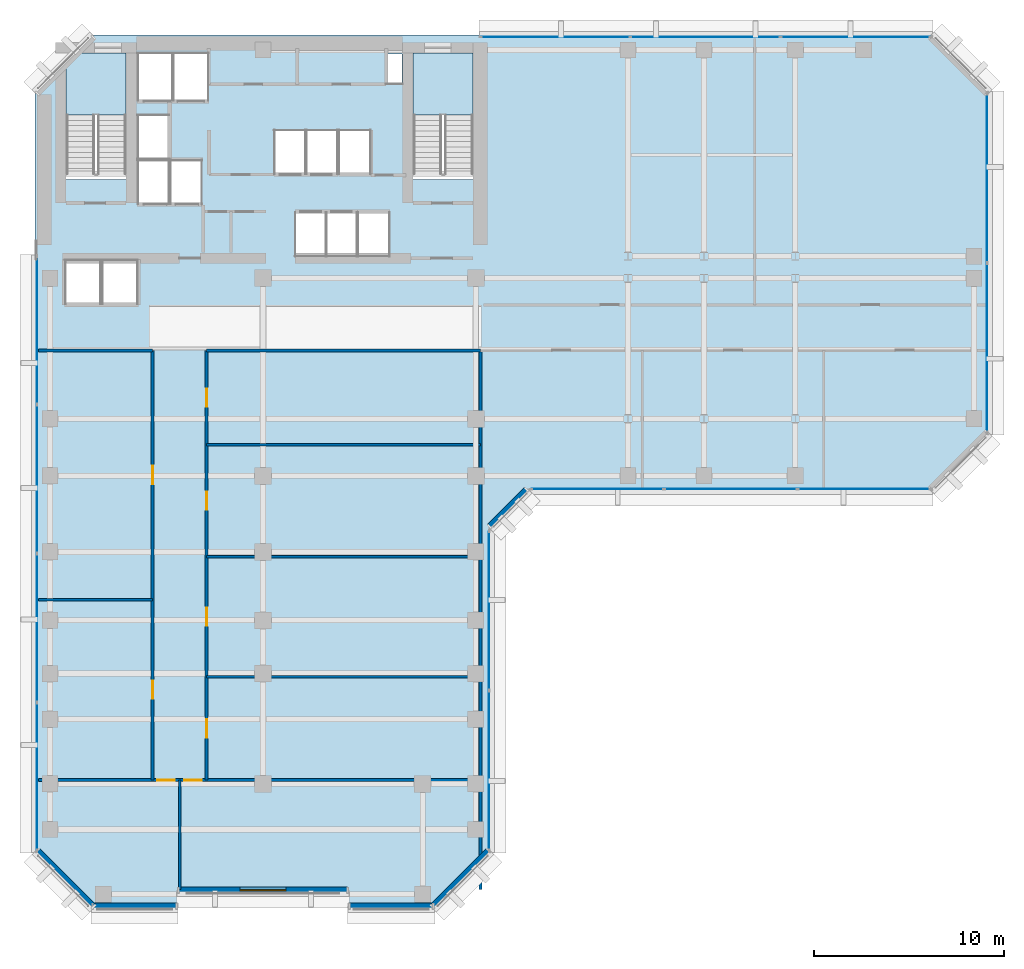
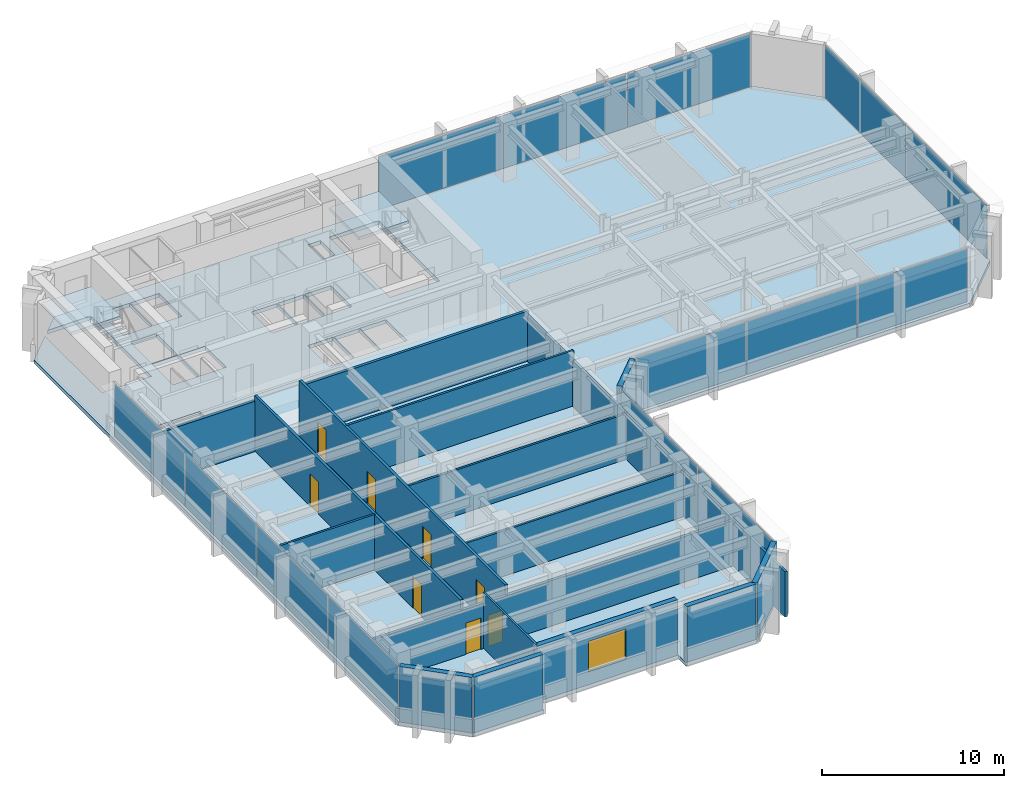
# One storey, part 6 of 11: 17 walls, 14 plates, 8 doors, 3 slabs, 1 window, 9 openings, 7 elements without a shape of their own.
"""IFC4 building model written with IfcOpenShell, lengths in metres."""

from ifc_helpers import new_model, si_unit, direction, frame, frame_2d, origin, origin_2d, place, context, subcontext, project, spatial, polyline, rectangle, outline, extrude, material, layer, layer_set, type_object, element, fill, aggregate, save


model = new_model("IFC4")

# Units and contexts
model_context = context("Model", 3, precision=1e-05, world=origin(), true_north=direction((0.0, 1.0)))
body_context = subcontext(model_context, "Body", "Model", "MODEL_VIEW")
ifc_project = project(units=[si_unit("LENGTHUNIT", "METRE"), si_unit("AREAUNIT", "SQUARE_METRE"), si_unit("VOLUMEUNIT", "CUBIC_METRE"), si_unit("PLANEANGLEUNIT", "RADIAN"), si_unit("MASSUNIT", "GRAM", prefix="KILO")], contexts=[model_context])

# Site, building, storey
site_placement = place(None, origin())
site = spatial("IfcSite", under=ifc_project, at=site_placement, CompositionType="ELEMENT")
building_placement = place(site_placement, origin())
building = spatial("IfcBuilding", under=site, at=building_placement, Name="Kefirva Bronze Tower", CompositionType="ELEMENT")
storey_placement = place(building_placement, frame((0.0, 0.0, 146.85009765625)))
storey = spatial("IfcBuildingStorey", under=building, at=storey_placement, Name="L35", CompositionType="ELEMENT", Elevation=146.85009765625)

# Stair, slab
ifc_material_1 = material(Name="Concrete C40/50", Category="concrete")
stair_type = type_object("IfcStairType", Name="RC Dogleg Protected Stair 24R", PredefinedType="HALF_TURN_STAIR", material=ifc_material_1)
stair_1_placement = place(storey_placement, origin())
stair_1 = element("IfcStair", 1, at=stair_1_placement, inside=storey, type_object=stair_type, Name="L35 Protected Exit Stair 1", PredefinedType="HALF_TURN_STAIR")
ifc_layer_1 = layer(ifc_material_1, 0.199951171875, Name="Concrete C40/50")
ifc_layer_set_1 = layer_set([ifc_layer_1], Name="Concrete C40/50")
slab_type_1 = type_object("IfcSlabType", Name="RC Stair Landing Slab 200mm", PredefinedType="LANDING", material=ifc_layer_set_1)
slab_1_placement = place(storey_placement, frame((0.0, 0.0, 1.77978515625)))
slab_1 = element("IfcSlab", 2, at=slab_1_placement, type_object=slab_type_1, Name="ST-1 landing 1", PredefinedType="LANDING", context=body_context, shape_type="SweptSolid", body=[
    extrude(outline(polyline([(4.800048828125, 41.780029296875), (4.800048828125, 45.050048828125), (1.64990234375, 45.050048828125), (1.64990234375, 41.780029296875), (4.800048828125, 41.780029296875)])), origin(), (0.0, 0.0, 1.0), 0.2001953125),
])
aggregate(stair_1, [slab_1])

stair_2_placement = place(storey_placement, origin())
stair_2 = element("IfcStair", 3, at=stair_2_placement, inside=storey, type_object=stair_type, Name="L35 Protected Exit Stair 2", PredefinedType="HALF_TURN_STAIR")
slab_2_placement = place(storey_placement, frame((0.0, 0.0, 1.77978515625)))
slab_2 = element("IfcSlab", 4, at=slab_2_placement, type_object=slab_type_1, Name="ST-2 landing 1", PredefinedType="LANDING", context=body_context, shape_type="SweptSolid", body=[
    extrude(outline(polyline([(23.050048828125, 41.780029296875), (23.050048828125, 45.050048828125), (19.89990234375, 45.050048828125), (19.89990234375, 41.780029296875), (23.050048828125, 41.780029296875)])), origin(), (0.0, 0.0, 1.0), 0.2001953125),
])
aggregate(stair_2, [slab_2])

# Slab
ifc_layer_2 = layer(ifc_material_1, 0.25, Name="Concrete C40/50")
ifc_layer_set_2 = layer_set([ifc_layer_2], Name="Concrete C40/50")
slab_type_2 = type_object("IfcSlabType", Name="RC Tower Floor Slab 250mm", PredefinedType="FLOOR", material=ifc_layer_set_2)
slab_3_placement = place(storey_placement, frame((0.0, 0.0, -0.25)))
element("IfcSlab", 5, at=slab_3_placement, inside=storey, type_object=slab_type_2, Name="L35 Structural Floor Slab", PredefinedType="FLOOR", context=body_context, shape_type="SweptSolid", body=[
    extrude(outline(polyline([(0.0, 3.0), (0.0, 43.0), (1.64990234375, 44.64990234375), (1.64990234375, 38.39990234375), (4.800048828125, 38.39990234375), (4.800048828125, 45.050048828125), (2.050048828125, 45.050048828125), (3.0, 46.0), (47.199951171875, 46.0), (50.199951171875, 43.0), (50.199951171875, 25.0), (47.199951171875, 22.0), (26.0, 22.0), (24.0, 20.0), (24.0, 3.0), (21.0, 0.0), (16.5, 0.0), (16.5, 0.85009765625), (7.5, 0.85009765625), (7.5, 0.0), (3.0, 0.0), (0.0, 3.0)]), holes=[polyline([(23.050048828125, 38.39990234375), (23.050048828125, 45.050048828125), (19.89990234375, 45.050048828125), (19.89990234375, 38.39990234375), (23.050048828125, 38.39990234375)]), polyline([(19.320068359375, 43.419921875), (19.320068359375, 45.0), (18.52001953125, 45.0), (18.52001953125, 43.419921875), (19.320068359375, 43.419921875)]), polyline([(18.64990234375, 34.35009765625), (18.64990234375, 36.64990234375), (17.0, 36.64990234375), (17.0, 34.35009765625), (18.64990234375, 34.35009765625)]), polyline([(17.64990234375, 38.679931640625), (17.64990234375, 40.97998046875), (16.0, 40.97998046875), (16.0, 38.679931640625), (17.64990234375, 38.679931640625)]), polyline([(16.949951171875, 34.35009765625), (16.949951171875, 36.64990234375), (15.35009765625, 36.64990234375), (15.35009765625, 34.35009765625), (16.949951171875, 34.35009765625)]), polyline([(15.929931640625, 38.679931640625), (15.929931640625, 40.97998046875), (14.300048828125, 40.97998046875), (14.300048828125, 38.679931640625), (15.929931640625, 38.679931640625)]), polyline([(15.300048828125, 34.35009765625), (15.300048828125, 36.64990234375), (13.699951171875, 36.64990234375), (13.699951171875, 34.35009765625), (15.300048828125, 34.35009765625)]), polyline([(14.22998046875, 38.679931640625), (14.22998046875, 40.97998046875), (12.60009765625, 40.97998046875), (12.60009765625, 38.679931640625), (14.22998046875, 38.679931640625)]), polyline([(9.1201171875, 42.550048828125), (9.1201171875, 45.050048828125), (7.300048828125, 45.050048828125), (7.300048828125, 42.550048828125), (9.1201171875, 42.550048828125)]), polyline([(8.780029296875, 37.10009765625), (8.780029296875, 39.39990234375), (7.139892578125, 39.39990234375), (7.139892578125, 37.10009765625), (8.780029296875, 37.10009765625)]), polyline([(7.239990234375, 42.550048828125), (7.239990234375, 45.050048828125), (5.419921875, 45.050048828125), (5.419921875, 42.550048828125), (7.239990234375, 42.550048828125)]), polyline([(7.06005859375, 37.10009765625), (7.06005859375, 39.39990234375), (5.419921875, 39.39990234375), (5.419921875, 37.10009765625), (7.06005859375, 37.10009765625)]), polyline([(7.06005859375, 39.47998046875), (7.06005859375, 41.780029296875), (5.419921875, 41.780029296875), (5.419921875, 39.47998046875), (7.06005859375, 39.47998046875)]), polyline([(5.39990234375, 31.85009765625), (5.39990234375, 34.14990234375), (3.550048828125, 34.14990234375), (3.550048828125, 31.85009765625), (5.39990234375, 31.85009765625)]), polyline([(3.449951171875, 31.85009765625), (3.449951171875, 34.14990234375), (1.60009765625, 34.14990234375), (1.60009765625, 31.85009765625), (3.449951171875, 31.85009765625)])]), origin(), (0.0, 0.0, 1.0), 0.25),
])

# Curtain wall, plates
ifc_material_2 = material(Name="Bronze anodised aluminium", Category="aluminium")
ifc_layer_3 = layer(ifc_material_2, 0.199951171875, Name="Bronze anodised aluminium")
ifc_layer_set_3 = layer_set([ifc_layer_3], Name="Bronze anodised aluminium")
curtain_wall_type = type_object("IfcCurtainWallType", Name="Unitised Bronze Ribbon Curtain Wall Zone 2", PredefinedType="USERDEFINED", material=ifc_layer_set_3)
curtain_wall_1_placement = place(storey_placement, origin())
curtain_wall_1 = element("IfcCurtainWall", 6, at=curtain_wall_1_placement, inside=storey, type_object=curtain_wall_type, Name="L35 Curtain Wall 1", ObjectType="UNITISED CURTAIN WALL", PredefinedType="USERDEFINED")
ifc_material_3 = material(Name="Laminated low-E double glazing", Category="glass")
ifc_layer_4 = layer(ifc_material_3, 0.031982421875, Name="Laminated low-E double glazing")
ifc_layer_set_4 = layer_set([ifc_layer_4], Name="Laminated low-E double glazing")
plate_type = type_object("IfcPlateType", Name="Solar-Control Low-E Vision Panel 32mm", PredefinedType="CURTAIN_PANEL", material=ifc_layer_set_4)
plate_1_placement = place(storey_placement, frame((23.8798828125, 7.296142578125, 0.074951171875), z_axis=(0.0, 0.0, 1.0), x_axis=(0.0, 1.0, 0.0)))
plate_1 = element("IfcPlate", 7, at=plate_1_placement, type_object=plate_type, Name="CW-02 panel 1.1", PredefinedType="CURTAIN_PANEL", context=body_context, shape_type="SweptSolid", body=[
    extrude(rectangle(XDim=8.33251953125, YDim=0.031982421875, at=origin_2d()), origin(), (0.0, 0.0, 1.0), 3.56005859375),
])
plate_2_placement = place(storey_placement, frame((23.8798828125, 15.703857421875, 0.074951171875), z_axis=(0.0, 0.0, 1.0), x_axis=(0.0, 1.0, 0.0)))
plate_2 = element("IfcPlate", 8, at=plate_2_placement, type_object=plate_type, Name="CW-02 panel 2.1", PredefinedType="CURTAIN_PANEL", context=body_context, shape_type="SweptSolid", body=[
    extrude(rectangle(XDim=8.33251953125, YDim=0.031982421875, at=origin_2d()), origin(), (0.0, 0.0, 1.0), 3.56005859375),
])
aggregate(curtain_wall_1, [plate_1, plate_2])

curtain_wall_2_placement = place(storey_placement, origin())
curtain_wall_2 = element("IfcCurtainWall", 9, at=curtain_wall_2_placement, inside=storey, type_object=curtain_wall_type, Name="L35 Curtain Wall 2", ObjectType="UNITISED CURTAIN WALL", PredefinedType="USERDEFINED")
plate_3_placement = place(storey_placement, frame((29.5888671875, 22.1201171875, 0.074951171875), z_axis=(0.0, 0.0, 1.0), x_axis=(1.0, 0.0, 0.0)))
plate_3 = element("IfcPlate", 10, at=plate_3_placement, type_object=plate_type, Name="CW-02 panel 1.1", PredefinedType="CURTAIN_PANEL", context=body_context, shape_type="SweptSolid", body=[
    extrude(rectangle(XDim=6.91748046875, YDim=0.031982421875, at=origin_2d()), origin(), (0.0, 0.0, 1.0), 3.56005859375),
])
plate_4_placement = place(storey_placement, frame((36.60009765625, 22.1201171875, 0.074951171875), z_axis=(0.0, 0.0, 1.0), x_axis=(1.0, 0.0, 0.0)))
plate_4 = element("IfcPlate", 11, at=plate_4_placement, type_object=plate_type, Name="CW-02 panel 2.1", PredefinedType="CURTAIN_PANEL", context=body_context, shape_type="SweptSolid", body=[
    extrude(rectangle(XDim=6.955078125, YDim=0.031982421875, at=origin_2d()), origin(), (0.0, 0.0, 1.0), 3.56005859375),
])
plate_5_placement = place(storey_placement, frame((43.611328125, 22.1201171875, 0.074951171875), z_axis=(0.0, 0.0, 1.0), x_axis=(1.0, 0.0, 0.0)))
plate_5 = element("IfcPlate", 12, at=plate_5_placement, type_object=plate_type, Name="CW-02 panel 3.1", PredefinedType="CURTAIN_PANEL", context=body_context, shape_type="SweptSolid", body=[
    extrude(rectangle(XDim=6.91748046875, YDim=0.031982421875, at=origin_2d()), origin(), (0.0, 0.0, 1.0), 3.56005859375),
])
aggregate(curtain_wall_2, [plate_3, plate_4, plate_5])

curtain_wall_3_placement = place(storey_placement, origin())
curtain_wall_3 = element("IfcCurtainWall", 13, at=curtain_wall_3_placement, inside=storey, type_object=curtain_wall_type, Name="L35 Curtain Wall 3", ObjectType="UNITISED CURTAIN WALL", PredefinedType="USERDEFINED")
plate_6_placement = place(storey_placement, frame((50.080078125, 29.546142578125, 0.074951171875), z_axis=(0.0, 0.0, 1.0), x_axis=(0.0, 1.0, 0.0)))
plate_6 = element("IfcPlate", 14, at=plate_6_placement, type_object=plate_type, Name="CW-02 panel 1.1", PredefinedType="CURTAIN_PANEL", context=body_context, shape_type="SweptSolid", body=[
    extrude(rectangle(XDim=8.83251953125, YDim=0.031982421875, at=origin_2d()), origin(), (0.0, 0.0, 1.0), 3.56005859375),
])
plate_7_placement = place(storey_placement, frame((50.080078125, 38.453857421875, 0.074951171875), z_axis=(0.0, 0.0, 1.0), x_axis=(0.0, 1.0, 0.0)))
plate_7 = element("IfcPlate", 15, at=plate_7_placement, type_object=plate_type, Name="CW-02 panel 2.1", PredefinedType="CURTAIN_PANEL", context=body_context, shape_type="SweptSolid", body=[
    extrude(rectangle(XDim=8.83251953125, YDim=0.031982421875, at=origin_2d()), origin(), (0.0, 0.0, 1.0), 3.56005859375),
])
aggregate(curtain_wall_3, [plate_6, plate_7])

curtain_wall_4_placement = place(storey_placement, origin())
curtain_wall_4 = element("IfcCurtainWall", 16, at=curtain_wall_4_placement, inside=storey, type_object=curtain_wall_type, Name="L35 Curtain Wall 4", ObjectType="UNITISED CURTAIN WALL", PredefinedType="USERDEFINED")
plate_8_placement = place(storey_placement, frame((43.169677734375, 45.8798828125, 0.074951171875), z_axis=(0.0, 0.0, 1.0), x_axis=(-1.0, 0.0, 0.0)))
plate_8 = element("IfcPlate", 17, at=plate_8_placement, type_object=plate_type, Name="CW-02 panel 1.1", PredefinedType="CURTAIN_PANEL", context=body_context, shape_type="SweptSolid", body=[
    extrude(rectangle(XDim=7.80078125, YDim=0.031982421875, at=origin_2d()), origin(), (0.0, 0.0, 1.0), 3.56005859375),
])
plate_9_placement = place(storey_placement, frame((35.27490234375, 45.8798828125, 0.074951171875), z_axis=(0.0, 0.0, 1.0), x_axis=(-1.0, 0.0, 0.0)))
plate_9 = element("IfcPlate", 18, at=plate_9_placement, type_object=plate_type, Name="CW-02 panel 2.1", PredefinedType="CURTAIN_PANEL", context=body_context, shape_type="SweptSolid", body=[
    extrude(rectangle(XDim=7.83837890625, YDim=0.031982421875, at=origin_2d()), origin(), (0.0, 0.0, 1.0), 3.56005859375),
])
plate_10_placement = place(storey_placement, frame((27.38037109375, 45.8798828125, 0.074951171875), z_axis=(0.0, 0.0, 1.0), x_axis=(-1.0, 0.0, 0.0)))
plate_10 = element("IfcPlate", 19, at=plate_10_placement, type_object=plate_type, Name="CW-02 panel 3.1", PredefinedType="CURTAIN_PANEL", context=body_context, shape_type="SweptSolid", body=[
    extrude(rectangle(XDim=7.80078125, YDim=0.031982421875, at=origin_2d()), origin(), (0.0, 0.0, 1.0), 3.56005859375),
])
aggregate(curtain_wall_4, [plate_8, plate_9, plate_10])

curtain_wall_5_placement = place(storey_placement, origin())
curtain_wall_5 = element("IfcCurtainWall", 20, at=curtain_wall_5_placement, inside=storey, type_object=curtain_wall_type, Name="L35 Curtain Wall 5", ObjectType="UNITISED CURTAIN WALL", PredefinedType="USERDEFINED")
plate_11_placement = place(storey_placement, frame((0.1201171875, 30.458740234375, 0.074951171875), z_axis=(0.0, 0.0, 1.0), x_axis=(0.0, -1.0, 0.0)))
plate_11 = element("IfcPlate", 21, at=plate_11_placement, type_object=plate_type, Name="CW-02 panel 1.1", PredefinedType="CURTAIN_PANEL", context=body_context, shape_type="SweptSolid", body=[
    extrude(rectangle(XDim=7.722412109375, YDim=0.031982421875, at=origin_2d()), origin(), (0.0, 0.0, 1.0), 3.56005859375),
])
plate_12_placement = place(storey_placement, frame((0.1201171875, 22.642578125, 0.074951171875), z_axis=(0.0, 0.0, 1.0), x_axis=(0.0, -1.0, 0.0)))
plate_12 = element("IfcPlate", 22, at=plate_12_placement, type_object=plate_type, Name="CW-02 panel 2.1", PredefinedType="CURTAIN_PANEL", context=body_context, shape_type="SweptSolid", body=[
    extrude(rectangle(XDim=7.760009765625, YDim=0.031982421875, at=origin_2d()), origin(), (0.0, 0.0, 1.0), 3.56005859375),
])
plate_13_placement = place(storey_placement, frame((0.1201171875, 14.8076171875, 0.074951171875), z_axis=(0.0, 0.0, 1.0), x_axis=(0.0, -1.0, 0.0)))
plate_13 = element("IfcPlate", 23, at=plate_13_placement, type_object=plate_type, Name="CW-02 panel 3.1", PredefinedType="CURTAIN_PANEL", context=body_context, shape_type="SweptSolid", body=[
    extrude(rectangle(XDim=7.760009765625, YDim=0.031982421875, at=origin_2d()), origin(), (0.0, 0.0, 1.0), 3.56005859375),
])
plate_14_placement = place(storey_placement, frame((0.1201171875, 6.9912109375, 0.074951171875), z_axis=(0.0, 0.0, 1.0), x_axis=(0.0, -1.0, 0.0)))
plate_14 = element("IfcPlate", 24, at=plate_14_placement, type_object=plate_type, Name="CW-02 panel 4.1", PredefinedType="CURTAIN_PANEL", context=body_context, shape_type="SweptSolid", body=[
    extrude(rectangle(XDim=7.722412109375, YDim=0.031982421875, at=origin_2d()), origin(), (0.0, 0.0, 1.0), 3.56005859375),
])
aggregate(curtain_wall_5, [plate_11, plate_12, plate_13, plate_14])

# Walls
ifc_material_4 = material(Name="Gypsum acoustic partition")
ifc_layer_5 = layer(ifc_material_4, 0.1298828125, Name="Gypsum acoustic partition")
ifc_layer_set_5 = layer_set([ifc_layer_5], Name="Gypsum acoustic partition")
wall_type_1 = type_object("IfcWallType", Name="Acoustic Office Partition 130mm", PredefinedType="PARTITIONING", material=ifc_layer_set_5)
wall_1_placement = place(storey_placement, frame((7.6201171875, 1.0400390625, 0.0), z_axis=(0.0, 0.0, 1.0), x_axis=(0.0, 1.0, 0.0)))
element("IfcWall", 25, at=wall_1_placement, inside=storey, type_object=wall_type_1, Name="L35 Partition W-L35-CAPDV", PredefinedType="PARTITIONING", context=body_context, shape_type="SweptSolid", body=[
    extrude(rectangle(XDim=5.760009765625, YDim=0.1298828125, at=frame_2d((2.8798828125, 0.0))), origin(), (0.0, 0.0, 1.0), 3.7099609375),
])
wall_2_placement = place(storey_placement, frame((0.18994140625, 16.2919921875, 0.0), z_axis=(0.0, 0.0, 1.0), x_axis=(1.0, 0.0, 0.0)))
element("IfcWall", 26, at=wall_2_placement, inside=storey, type_object=wall_type_1, Name="L35 Partition W-L35-SWD1", PredefinedType="PARTITIONING", context=body_context, shape_type="SweptSolid", body=[
    extrude(rectangle(XDim=6.010009765625, YDim=0.1298828125, at=frame_2d((3.0048828125, 0.0))), origin(), (0.0, 0.0, 1.0), 3.7099609375),
])
for number, where, z_axis, x_axis, name in (
    (27, (9.0400390625, 12.22412109375, 0.0), (0.0, 0.0, 1.0), (1.0, 0.0, 0.0), "L35 Partition W-L35-SED1"),
    (28, (9.0400390625, 18.552001953125, 0.0), (0.0, 0.0, 1.0), (1.0, 0.0, 0.0), "L35 Partition W-L35-SED2"),
):
    element("IfcWall", number, at=place(storey_placement, frame(where, z_axis=z_axis, x_axis=x_axis)), inside=storey, type_object=wall_type_1, Name=name, PredefinedType="PARTITIONING", context=body_context, shape_type="SweptSolid", body=[
        extrude(rectangle(XDim=14.409912109375, YDim=0.1298828125, at=frame_2d((7.205078125, 0.0))), origin(), (0.0, 0.0, 1.0), 3.044921875),
    ])
wall_3_placement = place(storey_placement, frame((9.0400390625, 24.427978515625, 0.0), z_axis=(0.0, 0.0, 1.0), x_axis=(1.0, 0.0, 0.0)))
element("IfcWall", 29, at=wall_3_placement, inside=storey, type_object=wall_type_1, Name="L35 Partition W-L35-SED3", PredefinedType="PARTITIONING", context=body_context, shape_type="SweptSolid", body=[
    extrude(rectangle(XDim=14.409912109375, YDim=0.1298828125, at=frame_2d((7.205078125, 0.0))), origin(), (0.0, 0.0, 1.0), 3.7099609375),
])
ifc_material_5 = material(Name="Precast concrete C40/50", Category="concrete")
ifc_layer_6 = layer(ifc_material_5, 0.320068359375, Name="Precast concrete C40/50")
ifc_layer_set_6 = layer_set([ifc_layer_6], Name="Precast concrete C40/50")
wall_type_2 = type_object("IfcWallType", Name="Precast Insulated Exterior Wall 320mm", PredefinedType="SOLIDWALL", material=ifc_layer_set_6)
wall_4_placement = place(storey_placement, frame((3.054931640625, 0.159912109375, 0.0), z_axis=(0.0, 0.0, 1.0), x_axis=(1.0, 0.0, 0.0)))
element("IfcWall", 30, at=wall_4_placement, inside=storey, type_object=wall_type_2, Name="L35 Exterior Facade Wall 1", PredefinedType="SOLIDWALL", context=body_context, shape_type="SweptSolid", body=[
    extrude(rectangle(XDim=4.39013671875, YDim=0.320068359375, at=frame_2d((2.195068359375, 0.0))), origin(), (0.0, 0.0, 1.0), 3.7099609375),
])

# Wall, opening, window
wall_5_placement = place(storey_placement, frame((7.554931640625, 1.010009765625, 0.0), z_axis=(0.0, 0.0, 1.0), x_axis=(1.0, 0.0, 0.0)))
wall_5 = element("IfcWall", 31, at=wall_5_placement, inside=storey, type_object=wall_type_2, Name="L35 Exterior Facade Wall 2", PredefinedType="SOLIDWALL", context=body_context, shape_type="SweptSolid", body=[
    extrude(rectangle(XDim=8.89013671875, YDim=0.320068359375, at=frame_2d((4.445068359375, 0.0))), origin(), (0.0, 0.0, 1.0), 3.7099609375),
])
opening_1_placement = place(wall_5_placement, frame((3.2451171875, 0.0, 0.85009765625)))
opening_1 = element("IfcOpeningElement", 32, at=opening_1_placement, cuts=wall_5, Name="Opening WN-01", PredefinedType="OPENING", context=body_context, shape_type="SweptSolid", body=[
    extrude(rectangle(XDim=2.39990234375, YDim=2.050048828125, at=frame_2d((1.199951171875, 1.02490234375))), frame((0.0, 0.169921875, 0.0), z_axis=(0.0, -1.0, 0.0), x_axis=(1.0, 0.0, 0.0)), (0.0, 0.0, 1.0), 0.340087890625),
])
window_type = type_object("IfcWindowType", Name="Streamline Ribbon Window 2400x2050", PartitioningType="SINGLE_PANEL", PredefinedType="WINDOW", material=ifc_material_3)
window_placement = place(opening_1_placement, origin())
window = element("IfcWindow", 33, at=window_placement, inside=storey, type_object=window_type, Name="L35 Ribbon Window 2", OverallHeight=2.050048828125, OverallWidth=2.39990234375, PartitioningType="SINGLE_PANEL", PredefinedType="WINDOW", context=body_context, shape_type="SweptSolid", body=[
    extrude(rectangle(XDim=2.39990234375, YDim=2.050048828125, at=frame_2d((1.199951171875, 1.02490234375))), frame((0.0, 0.030029296875, 0.0), z_axis=(0.0, -1.0, 0.0), x_axis=(1.0, 0.0, 0.0)), (0.0, 0.0, 1.0), 0.06005859375),
])
fill(opening_1, window)

# Walls
wall_6_placement = place(storey_placement, frame((16.554931640625, 0.159912109375, 0.0), z_axis=(0.0, 0.0, 1.0), x_axis=(1.0, 0.0, 0.0)))
element("IfcWall", 34, at=wall_6_placement, inside=storey, type_object=wall_type_2, Name="L35 Exterior Facade Wall 3", PredefinedType="SOLIDWALL", context=body_context, shape_type="SweptSolid", body=[
    extrude(rectangle(XDim=4.39013671875, YDim=0.320068359375, at=frame_2d((2.195068359375, 0.0))), origin(), (0.0, 0.0, 1.0), 3.7099609375),
])
wall_7_placement = place(storey_placement, frame((20.92578125, 0.152099609375, 0.0), z_axis=(0.0, 0.0, 1.0), x_axis=(0.707106781187, 0.707106781187, 0.0)))
element("IfcWall", 35, at=wall_7_placement, inside=storey, type_object=wall_type_2, Name="L35 Exterior Facade Wall 4", PredefinedType="SOLIDWALL", context=body_context, shape_type="SweptSolid", body=[
    extrude(rectangle(XDim=4.132568359375, YDim=0.320068359375, at=frame_2d((2.06640625, 0.0))), origin(), (0.0, 0.0, 1.0), 3.7099609375),
])
wall_8_placement = place(storey_placement, frame((23.92578125, 20.152099609375, 0.0), z_axis=(0.0, 0.0, 1.0), x_axis=(0.707106781187, 0.707106781187, 0.0)))
element("IfcWall", 36, at=wall_8_placement, inside=storey, type_object=wall_type_2, Name="L35 Exterior Facade Wall 5", PredefinedType="SOLIDWALL", context=body_context, shape_type="SweptSolid", body=[
    extrude(rectangle(XDim=2.71826171875, YDim=0.320068359375, at=frame_2d((1.359130859375, 0.0))), origin(), (0.0, 0.0, 1.0), 3.7099609375),
])
wall_9_placement = place(storey_placement, frame((0.152099609375, 3.07421875, 0.0), z_axis=(0.0, 0.0, 1.0), x_axis=(0.707106781187, -0.707106781187, 0.0)))
element("IfcWall", 37, at=wall_9_placement, inside=storey, type_object=wall_type_2, Name="L35 Exterior Facade Wall 9", PredefinedType="SOLIDWALL", context=body_context, shape_type="SweptSolid", body=[
    extrude(rectangle(XDim=4.132568359375, YDim=0.320068359375, at=frame_2d((2.06640625, 0.0))), origin(), (0.0, 0.0, 1.0), 3.7099609375),
])

# Wall, openings, doors
ifc_layer_7 = layer(ifc_material_4, 0.159912109375, Name="Gypsum acoustic partition")
ifc_layer_set_7 = layer_set([ifc_layer_7], Name="Gypsum acoustic partition")
wall_type_3 = type_object("IfcWallType", Name="Protected Corridor Partition 160mm", PredefinedType="PARTITIONING", material=ifc_layer_set_7)
wall_10_placement = place(storey_placement, frame((6.199951171875, 6.800048828125, 0.0), z_axis=(0.0, 0.0, 1.0), x_axis=(0.0, 1.0, 0.0)))
wall_10 = element("IfcWall", 38, at=wall_10_placement, inside=storey, type_object=wall_type_3, Name="L35 Partition W-L35-SWCORW", PredefinedType="PARTITIONING", context=body_context, shape_type="SweptSolid", body=[
    extrude(rectangle(XDim=22.599853515625, YDim=0.159912109375, at=frame_2d((11.2998046875, 0.0))), origin(), (0.0, 0.0, 1.0), 3.7099609375),
])
opening_2_placement = place(wall_10_placement, frame((5.220947265625, 0.0, 0.0), z_axis=(0.0, 0.0, 1.0), x_axis=(-1.0, 0.0, 0.0)))
opening_2 = element("IfcOpeningElement", 39, at=opening_2_placement, cuts=wall_10, Name="Opening L35-D-SW1", PredefinedType="OPENING", context=body_context, shape_type="SweptSolid", body=[
    extrude(rectangle(XDim=0.949951171875, YDim=2.14990234375, at=frame_2d((0.47509765625, 1.074951171875))), frame((0.0, 0.08984375, 0.0), z_axis=(0.0, -1.0, 0.0), x_axis=(1.0, 0.0, 0.0)), (0.0, 0.0, 1.0), 0.179931640625),
])
opening_3_placement = place(wall_10_placement, frame((16.52099609375, 0.0, 0.0), z_axis=(0.0, 0.0, 1.0), x_axis=(-1.0, 0.0, 0.0)))
opening_3 = element("IfcOpeningElement", 40, at=opening_3_placement, cuts=wall_10, Name="Opening L35-D-SW2", PredefinedType="OPENING", context=body_context, shape_type="SweptSolid", body=[
    extrude(rectangle(XDim=0.949951171875, YDim=2.14990234375, at=frame_2d((0.47509765625, 1.074951171875))), frame((0.0, 0.08984375, 0.0), z_axis=(0.0, -1.0, 0.0), x_axis=(1.0, 0.0, 0.0)), (0.0, 0.0, 1.0), 0.179931640625),
])
ifc_material_6 = material(Name="Acoustic hardwood oak", Category="wood")
door_type_1 = type_object("IfcDoorType", Name="Office & Meeting Room Door 950x2150", OperationType="NOTDEFINED", PredefinedType="DOOR", material=ifc_material_6)
door_1_placement = place(opening_2_placement, origin())
door_1 = element("IfcDoor", 41, at=door_1_placement, inside=storey, type_object=door_type_1, Name="Door L35-D-SW1", OperationType="SINGLE_SWING_LEFT", OverallHeight=2.14990234375, OverallWidth=0.949951171875, PredefinedType="DOOR", context=body_context, shape_type="SweptSolid", body=[
    extrude(rectangle(XDim=0.949951171875, YDim=2.14990234375, at=frame_2d((0.47509765625, 1.074951171875))), frame((0.0, 0.02490234375, 0.0), z_axis=(0.0, -1.0, 0.0), x_axis=(1.0, 0.0, 0.0)), (0.0, 0.0, 1.0), 0.050048828125),
])
fill(opening_2, door_1)
door_2_placement = place(opening_3_placement, origin())
door_2 = element("IfcDoor", 42, at=door_2_placement, inside=storey, type_object=door_type_1, Name="Door L35-D-SW2", OperationType="SINGLE_SWING_RIGHT", OverallHeight=2.14990234375, OverallWidth=0.949951171875, PredefinedType="DOOR", context=body_context, shape_type="SweptSolid", body=[
    extrude(rectangle(XDim=0.949951171875, YDim=2.14990234375, at=frame_2d((0.47509765625, 1.074951171875))), frame((0.0, 0.02490234375, 0.0), z_axis=(0.0, -1.0, 0.0), x_axis=(1.0, 0.0, 0.0)), (0.0, 0.0, 1.0), 0.050048828125),
])
fill(opening_3, door_2)

wall_11_placement = place(storey_placement, frame((9.0400390625, 6.800048828125, 0.0), z_axis=(0.0, 0.0, 1.0), x_axis=(0.0, 1.0, 0.0)))
wall_11 = element("IfcWall", 43, at=wall_11_placement, inside=storey, type_object=wall_type_3, Name="L35 Partition W-L35-SECORE", PredefinedType="PARTITIONING", context=body_context, shape_type="SweptSolid", body=[
    extrude(rectangle(XDim=22.599853515625, YDim=0.159912109375, at=frame_2d((11.2998046875, 0.0))), origin(), (0.0, 0.0, 1.0), 3.7099609375),
])
opening_4_placement = place(wall_11_placement, frame((2.237060546875, 0.0, 0.0)))
opening_4 = element("IfcOpeningElement", 44, at=opening_4_placement, cuts=wall_11, Name="Opening L35-D-SE1", PredefinedType="OPENING", context=body_context, shape_type="SweptSolid", body=[
    extrude(rectangle(XDim=0.949951171875, YDim=2.14990234375, at=frame_2d((0.47509765625, 1.074951171875))), frame((0.0, 0.08984375, 0.0), z_axis=(0.0, -1.0, 0.0), x_axis=(1.0, 0.0, 0.0)), (0.0, 0.0, 1.0), 0.179931640625),
])
opening_5_placement = place(wall_11_placement, frame((8.113037109375, 0.0, 0.0)))
opening_5 = element("IfcOpeningElement", 45, at=opening_5_placement, cuts=wall_11, Name="Opening L35-D-SE2", PredefinedType="OPENING", context=body_context, shape_type="SweptSolid", body=[
    extrude(rectangle(XDim=0.949951171875, YDim=2.14990234375, at=frame_2d((0.47509765625, 1.074951171875))), frame((0.0, 0.08984375, 0.0), z_axis=(0.0, -1.0, 0.0), x_axis=(1.0, 0.0, 0.0)), (0.0, 0.0, 1.0), 0.179931640625),
])
opening_6_placement = place(wall_11_placement, frame((14.215087890625, 0.0, 0.0)))
opening_6 = element("IfcOpeningElement", 46, at=opening_6_placement, cuts=wall_11, Name="Opening L35-D-SE3", PredefinedType="OPENING", context=body_context, shape_type="SweptSolid", body=[
    extrude(rectangle(XDim=0.949951171875, YDim=2.14990234375, at=frame_2d((0.47509765625, 1.074951171875))), frame((0.0, 0.08984375, 0.0), z_axis=(0.0, -1.0, 0.0), x_axis=(1.0, 0.0, 0.0)), (0.0, 0.0, 1.0), 0.179931640625),
])
opening_7_placement = place(wall_11_placement, frame((19.638916015625, 0.0, 0.0)))
opening_7 = element("IfcOpeningElement", 47, at=opening_7_placement, cuts=wall_11, Name="Opening L35-D-SE4", PredefinedType="OPENING", context=body_context, shape_type="SweptSolid", body=[
    extrude(rectangle(XDim=0.949951171875, YDim=2.14990234375, at=frame_2d((0.47509765625, 1.074951171875))), frame((0.0, 0.08984375, 0.0), z_axis=(0.0, -1.0, 0.0), x_axis=(1.0, 0.0, 0.0)), (0.0, 0.0, 1.0), 0.179931640625),
])
door_3_placement = place(opening_4_placement, origin())
door_3 = element("IfcDoor", 48, at=door_3_placement, inside=storey, type_object=door_type_1, Name="Door L35-D-SE1", OperationType="SINGLE_SWING_LEFT", OverallHeight=2.14990234375, OverallWidth=0.949951171875, PredefinedType="DOOR", context=body_context, shape_type="SweptSolid", body=[
    extrude(rectangle(XDim=0.949951171875, YDim=2.14990234375, at=frame_2d((0.47509765625, 1.074951171875))), frame((0.0, 0.02490234375, 0.0), z_axis=(0.0, -1.0, 0.0), x_axis=(1.0, 0.0, 0.0)), (0.0, 0.0, 1.0), 0.050048828125),
])
fill(opening_4, door_3)
door_4_placement = place(opening_5_placement, origin())
door_4 = element("IfcDoor", 49, at=door_4_placement, inside=storey, type_object=door_type_1, Name="Door L35-D-SE2", OperationType="SINGLE_SWING_RIGHT", OverallHeight=2.14990234375, OverallWidth=0.949951171875, PredefinedType="DOOR", context=body_context, shape_type="SweptSolid", body=[
    extrude(rectangle(XDim=0.949951171875, YDim=2.14990234375, at=frame_2d((0.47509765625, 1.074951171875))), frame((0.0, 0.02490234375, 0.0), z_axis=(0.0, -1.0, 0.0), x_axis=(1.0, 0.0, 0.0)), (0.0, 0.0, 1.0), 0.050048828125),
])
fill(opening_5, door_4)
door_5_placement = place(opening_6_placement, origin())
door_5 = element("IfcDoor", 50, at=door_5_placement, inside=storey, type_object=door_type_1, Name="Door L35-D-SE3", OperationType="SINGLE_SWING_LEFT", OverallHeight=2.14990234375, OverallWidth=0.949951171875, PredefinedType="DOOR", context=body_context, shape_type="SweptSolid", body=[
    extrude(rectangle(XDim=0.949951171875, YDim=2.14990234375, at=frame_2d((0.47509765625, 1.074951171875))), frame((0.0, 0.02490234375, 0.0), z_axis=(0.0, -1.0, 0.0), x_axis=(1.0, 0.0, 0.0)), (0.0, 0.0, 1.0), 0.050048828125),
])
fill(opening_6, door_5)
door_6_placement = place(opening_7_placement, origin())
door_6 = element("IfcDoor", 51, at=door_6_placement, inside=storey, type_object=door_type_1, Name="Door L35-D-SE4", OperationType="SINGLE_SWING_RIGHT", OverallHeight=2.14990234375, OverallWidth=0.949951171875, PredefinedType="DOOR", context=body_context, shape_type="SweptSolid", body=[
    extrude(rectangle(XDim=0.949951171875, YDim=2.14990234375, at=frame_2d((0.47509765625, 1.074951171875))), frame((0.0, 0.02490234375, 0.0), z_axis=(0.0, -1.0, 0.0), x_axis=(1.0, 0.0, 0.0)), (0.0, 0.0, 1.0), 0.050048828125),
])
fill(opening_7, door_6)

wall_12_placement = place(storey_placement, frame((0.18994140625, 6.800048828125, 0.0), z_axis=(0.0, 0.0, 1.0), x_axis=(1.0, 0.0, 0.0)))
wall_12 = element("IfcWall", 52, at=wall_12_placement, inside=storey, type_object=wall_type_3, Name="L35 Partition W-L35-SBEND", PredefinedType="PARTITIONING", context=body_context, shape_type="SweptSolid", body=[
    extrude(rectangle(XDim=23.260009765625, YDim=0.159912109375, at=frame_2d((11.6298828125, 0.0))), origin(), (0.0, 0.0, 1.0), 3.044921875),
])
opening_8_placement = place(wall_12_placement, frame((6.260009765625, 0.0, 0.0)))
opening_8 = element("IfcOpeningElement", 53, at=opening_8_placement, cuts=wall_12, Name="Opening L35-D-SEND1", PredefinedType="OPENING", context=body_context, shape_type="SweptSolid", body=[
    extrude(rectangle(XDim=0.919921875, YDim=2.10009765625, at=frame_2d((0.4599609375, 1.050048828125))), frame((0.0, 0.08984375, 0.0), z_axis=(0.0, -1.0, 0.0), x_axis=(1.0, 0.0, 0.0)), (0.0, 0.0, 1.0), 0.179931640625),
])
opening_9_placement = place(wall_12_placement, frame((7.679931640625, 0.0, 0.0)))
opening_9 = element("IfcOpeningElement", 54, at=opening_9_placement, cuts=wall_12, Name="Opening L35-D-SEND2", PredefinedType="OPENING", context=body_context, shape_type="SweptSolid", body=[
    extrude(rectangle(XDim=0.919921875, YDim=2.10009765625, at=frame_2d((0.4599609375, 1.050048828125))), frame((0.0, 0.08984375, 0.0), z_axis=(0.0, -1.0, 0.0), x_axis=(1.0, 0.0, 0.0)), (0.0, 0.0, 1.0), 0.179931640625),
])
ifc_material_7 = material(Name="Moisture-resistant timber", Category="wood")
door_type_2 = type_object("IfcDoorType", Name="Accessible Sanitary & WC Door 920x2100", OperationType="NOTDEFINED", PredefinedType="DOOR", material=ifc_material_7)
door_7_placement = place(opening_8_placement, origin())
door_7 = element("IfcDoor", 55, at=door_7_placement, inside=storey, type_object=door_type_2, Name="Door L35-D-SEND1", OperationType="SINGLE_SWING_LEFT", OverallHeight=2.10009765625, OverallWidth=0.919921875, PredefinedType="DOOR", context=body_context, shape_type="SweptSolid", body=[
    extrude(rectangle(XDim=0.919921875, YDim=2.10009765625, at=frame_2d((0.4599609375, 1.050048828125))), frame((0.0, 0.02490234375, 0.0), z_axis=(0.0, -1.0, 0.0), x_axis=(1.0, 0.0, 0.0)), (0.0, 0.0, 1.0), 0.050048828125),
])
fill(opening_8, door_7)
door_8_placement = place(opening_9_placement, origin())
door_8 = element("IfcDoor", 56, at=door_8_placement, inside=storey, type_object=door_type_2, Name="Door L35-D-SEND2", OperationType="SINGLE_SWING_RIGHT", OverallHeight=2.10009765625, OverallWidth=0.919921875, PredefinedType="DOOR", context=body_context, shape_type="SweptSolid", body=[
    extrude(rectangle(XDim=0.919921875, YDim=2.10009765625, at=frame_2d((0.4599609375, 1.050048828125))), frame((0.0, 0.02490234375, 0.0), z_axis=(0.0, -1.0, 0.0), x_axis=(1.0, 0.0, 0.0)), (0.0, 0.0, 1.0), 0.050048828125),
])
fill(opening_9, door_8)

# Walls
wall_13_placement = place(storey_placement, frame((0.18994140625, 29.39990234375, 0.0), z_axis=(0.0, 0.0, 1.0), x_axis=(1.0, 0.0, 0.0)))
element("IfcWall", 57, at=wall_13_placement, inside=storey, type_object=wall_type_3, Name="L35 Partition W-L35-NWT", PredefinedType="PARTITIONING", context=body_context, shape_type="SweptSolid", body=[
    extrude(rectangle(XDim=6.010009765625, YDim=0.159912109375, at=frame_2d((3.0048828125, 0.0))), origin(), (0.0, 0.0, 1.0), 3.364990234375),
])
wall_14_placement = place(storey_placement, frame((9.0400390625, 29.39990234375, 0.0), z_axis=(0.0, 0.0, 1.0), x_axis=(1.0, 0.0, 0.0)))
element("IfcWall", 58, at=wall_14_placement, inside=storey, type_object=wall_type_3, Name="L35 Partition W-L35-NET", PredefinedType="PARTITIONING", context=body_context, shape_type="SweptSolid", body=[
    extrude(rectangle(XDim=14.409912109375, YDim=0.159912109375, at=frame_2d((7.205078125, 0.0))), origin(), (0.0, 0.0, 1.0), 3.364990234375),
])
wall_15_placement = place(storey_placement, frame((23.449951171875, 1.0400390625, 0.0), z_axis=(0.0, 0.0, 1.0), x_axis=(0.0, 1.0, 0.0)))
element("IfcWall", 59, at=wall_15_placement, inside=storey, type_object=wall_type_3, Name="L35 Partition W-L35-SWEAST", PredefinedType="PARTITIONING", context=body_context, shape_type="SweptSolid", body=[
    extrude(rectangle(XDim=28.35986328125, YDim=0.159912109375, at=frame_2d((14.179931640625, 0.0))), origin(), (0.0, 0.0, 1.0), 3.044921875),
])

save(model, "model.ifc")
